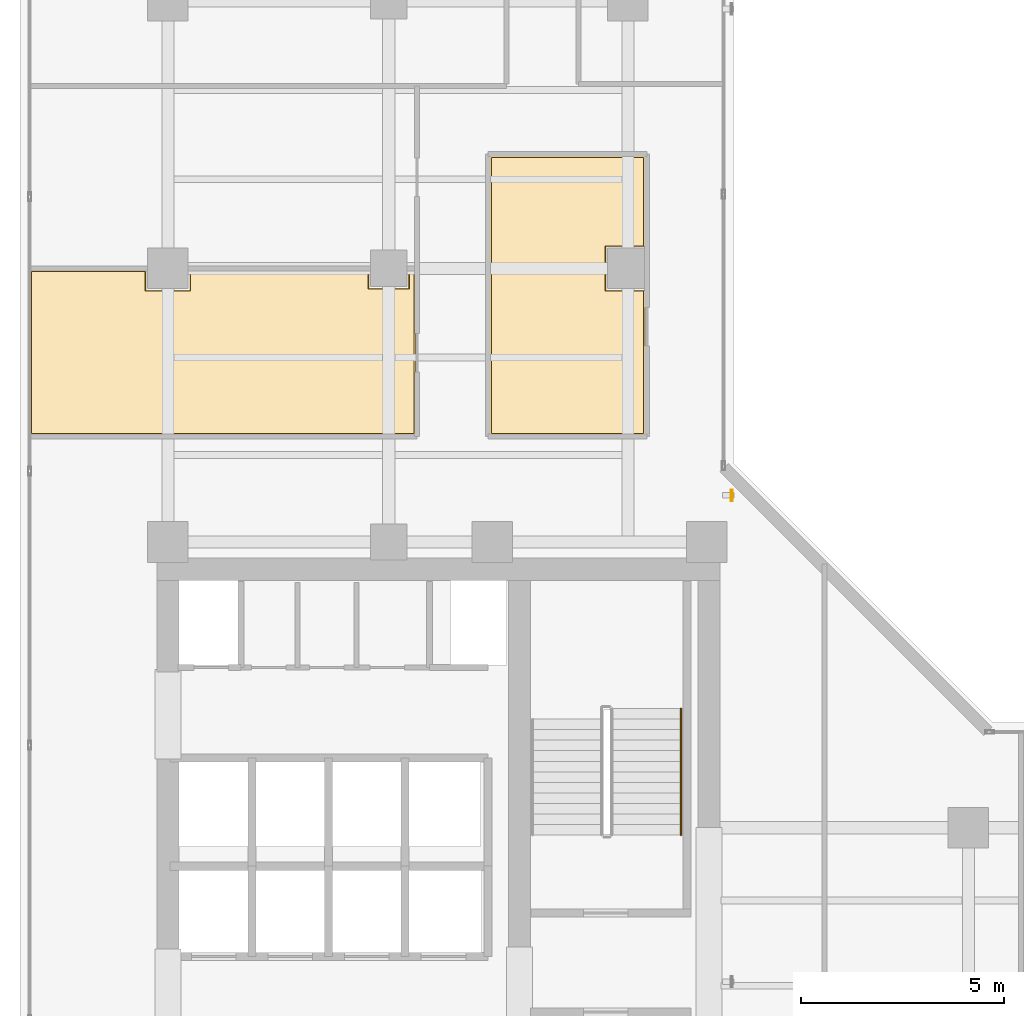
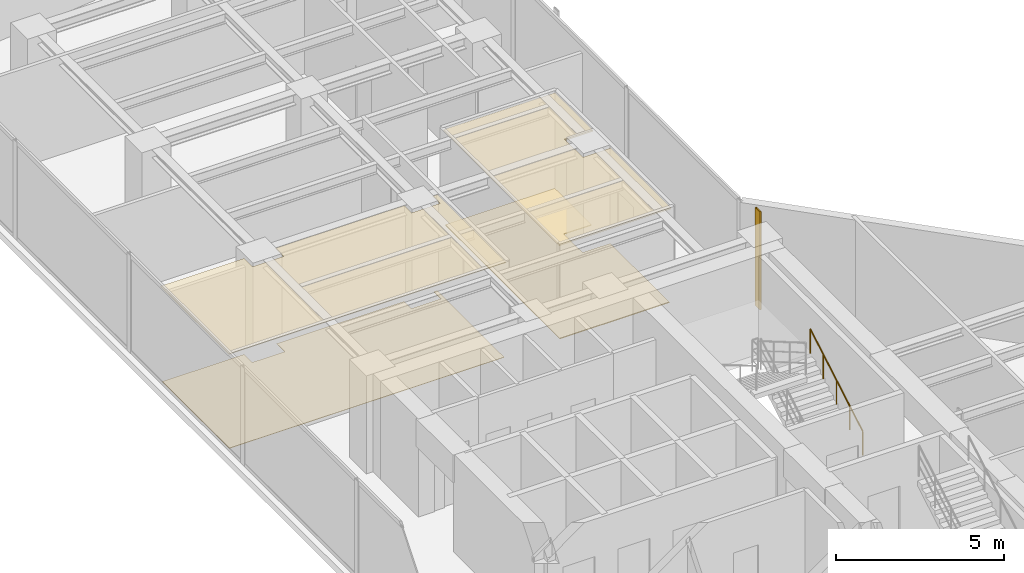
# One storey, part 23 of 25: 4 coverings, 1 railing, 1 shading device.
"""IFC4 building model written with IfcOpenShell, lengths in metres."""

from ifc_helpers import new_model, si_unit, direction, frame, origin, origin_2d, place, context, subcontext, project, spatial, polyline, hollow_rectangle, circle, outline, extrude, material, layer, layer_set, material_profile, profile_set, type_object, element, save


model = new_model("IFC4")

# Units and contexts
model_context = context("Model", 3, precision=1e-05, world=origin(), true_north=direction((0.0, 1.0)))
body_context = subcontext(model_context, "Body", "Model", "MODEL_VIEW")
ifc_project = project(units=[si_unit("LENGTHUNIT", "METRE"), si_unit("AREAUNIT", "SQUARE_METRE"), si_unit("VOLUMEUNIT", "CUBIC_METRE"), si_unit("PLANEANGLEUNIT", "RADIAN"), si_unit("MASSUNIT", "GRAM", prefix="KILO")], contexts=[model_context])

# Site, building, storey
site_placement = place(None, origin())
site = spatial("IfcSite", under=ifc_project, at=site_placement, CompositionType="ELEMENT")
building_placement = place(site_placement, origin())
building = spatial("IfcBuilding", under=site, at=building_placement, Name="Kolvaren Waterfront Exchange", CompositionType="ELEMENT")
storey_placement = place(building_placement, frame((0.0, 0.0, 204.5)))
storey = spatial("IfcBuildingStorey", under=building, at=storey_placement, Name="L52", CompositionType="ELEMENT", Elevation=204.5)

# Coverings
ifc_material_1 = material(Name="Mineral fibre acoustic ceiling tile")
ifc_layer_1 = layer(ifc_material_1, 0.02490234375, Name="Mineral fibre acoustic ceiling tile")
ifc_layer_set_1 = layer_set([ifc_layer_1], Name="Mineral fibre acoustic ceiling tile")
covering_type_1 = type_object("IfcCoveringType", Name="ARC-CEIL-ACOUSTIC-25", PredefinedType="CEILING", material=ifc_layer_set_1)
covering_1_placement = place(storey_placement, frame((0.0, 0.0, 3.445068359375)))
element("IfcCovering", 1, at=covering_1_placement, inside=storey, type_object=covering_type_1, Name="L52 acoustic suspended ceiling 3", PredefinedType="CEILING", context=body_context, shape_type="SweptSolid", body=[
    extrude(outline(polyline([(7.989990234375, 31.155029296875), (7.989990234375, 30.659912109375), (6.909912109375, 30.659912109375), (6.909912109375, 31.155029296875), (4.044921875, 31.155029296875), (4.044921875, 27.094970703125), (13.554931640625, 27.094970703125), (13.554931640625, 31.155029296875), (13.389892578125, 31.155029296875), (13.389892578125, 30.7099609375), (12.409912109375, 30.7099609375), (12.409912109375, 31.155029296875), (7.989990234375, 31.155029296875)])), origin(), (0.0, 0.0, 1.0), 0.02490234375),
])
ifc_material_2 = material(Name="Perforated bronze acoustic ceiling panel", Category="aluminium")
ifc_layer_2 = layer(ifc_material_2, 0.054931640625, Name="Perforated bronze acoustic ceiling panel")
ifc_layer_set_2 = layer_set([ifc_layer_2], Name="Perforated bronze acoustic ceiling panel")
covering_type_2 = type_object("IfcCoveringType", Name="ARC-CEIL-BAFFLE-55", PredefinedType="CEILING", material=ifc_layer_set_2)
covering_2_placement = place(storey_placement, frame((0.0, 0.0, 3.4150390625)))
element("IfcCovering", 2, at=covering_2_placement, inside=storey, type_object=covering_type_2, Name="L52 acoustic suspended ceiling 1", PredefinedType="CEILING", context=body_context, shape_type="SweptSolid", body=[
    extrude(outline(polyline([(19.22509765625, 30.659912109375), (18.260009765625, 30.659912109375), (18.260009765625, 31.739990234375), (19.22509765625, 31.739990234375), (19.22509765625, 33.97509765625), (15.39501953125, 33.97509765625), (15.39501953125, 27.094970703125), (19.22509765625, 27.094970703125), (19.22509765625, 30.659912109375)])), origin(), (0.0, 0.0, 1.0), 0.054931640625),
])

# Shading device
ifc_material_3 = material(Name="Anodised bronze aluminium 6063-T6", Category="aluminium")
ifc_material_profile = material_profile(ifc_material_3, hollow_rectangle(XDim=0.054931640625, YDim=0.280029296875, WallThickness=0.00439453125, at=origin_2d()), Name="BRZ-FIN-280x55x4.5")
ifc_profile_set = profile_set([ifc_material_profile], Name="Anodised bronze aluminium 6063-T6")
shading_device_type = type_object("IfcShadingDeviceType", Name="ARC-FIN-280", PredefinedType="USERDEFINED", material=ifc_profile_set)
shading_device_placement = place(storey_placement, frame((21.360107421875, 25.60009765625, 0.0), z_axis=(0.0, 0.0, 1.0), x_axis=(1.0, 0.0, 0.0)))
element("IfcShadingDevice", 3, at=shading_device_placement, inside=storey, type_object=shading_device_type, Name="L52 anodised bronze solar shading fin FIN-L52-E2", ObjectType="SOLAR FIN", PredefinedType="USERDEFINED", context=body_context, shape_type="SweptSolid", body=[
    extrude(hollow_rectangle(XDim=0.054931640625, YDim=0.280029296875, WallThickness=0.00439453125, at=origin_2d()), origin(), (0.0, 0.0, 1.0), 3.56005859375),
])

# Coverings
ifc_material_4 = material(Name="Slip-resistant porcelain tile")
ifc_layer_3 = layer(ifc_material_4, 0.014892578125, Name="Slip-resistant porcelain tile")
ifc_layer_set_3 = layer_set([ifc_layer_3], Name="Slip-resistant porcelain tile")
covering_type_3 = type_object("IfcCoveringType", Name="ARC-FLR-PORC-15", PredefinedType="FLOORING", material=ifc_layer_set_3)
covering_3_placement = place(storey_placement, origin())
element("IfcCovering", 4, at=covering_3_placement, inside=storey, type_object=covering_type_3, Name="L52 floor finish 3", PredefinedType="FLOORING", context=body_context, shape_type="SweptSolid", body=[
    extrude(outline(polyline([(4.080078125, 31.1201171875), (4.080078125, 27.1298828125), (13.52001953125, 27.1298828125), (13.52001953125, 31.1201171875), (13.409912109375, 31.1201171875), (13.409912109375, 30.68994140625), (12.389892578125, 30.68994140625), (12.389892578125, 31.1201171875), (8.010009765625, 31.1201171875), (8.010009765625, 30.639892578125), (6.889892578125, 30.639892578125), (6.889892578125, 31.1201171875), (4.080078125, 31.1201171875)])), origin(), (0.0, 0.0, 1.0), 0.014892578125),
])
ifc_material_5 = material(Name="Polished granite terrazzo tile", Category="masonry")
ifc_layer_4 = layer(ifc_material_5, 0.030029296875, Name="Polished granite terrazzo tile")
ifc_layer_set_4 = layer_set([ifc_layer_4], Name="Polished granite terrazzo tile")
covering_type_4 = type_object("IfcCoveringType", Name="ARC-FLR-TERRAZZO-30", PredefinedType="FLOORING", material=ifc_layer_set_4)
covering_4_placement = place(storey_placement, origin())
element("IfcCovering", 5, at=covering_4_placement, inside=storey, type_object=covering_type_4, Name="L52 floor finish 1", PredefinedType="FLOORING", context=body_context, shape_type="SweptSolid", body=[
    extrude(outline(polyline([(15.429931640625, 33.93994140625), (15.429931640625, 27.1298828125), (19.18994140625, 27.1298828125), (19.18994140625, 30.639892578125), (18.239990234375, 30.639892578125), (18.239990234375, 31.760009765625), (19.18994140625, 31.760009765625), (19.18994140625, 33.93994140625), (15.429931640625, 33.93994140625)])), origin(), (0.0, 0.0, 1.0), 0.030029296875),
])

# Railing
ifc_material_6 = material(Name="Stainless steel 316", Category="steel")
railing_type = type_object("IfcRailingType", Name="ARC-HANDRAIL-900", PredefinedType="HANDRAIL", material=ifc_material_6)
railing_placement = place(storey_placement, frame((20.110107421875, 17.219970703125, 0.152099609375)))
element("IfcRailing", 6, at=railing_placement, inside=storey, type_object=railing_type, Name="L52 ST2 stair handrail 1", PredefinedType="HANDRAIL", context=body_context, shape_type="SweptSolid", body=[
    extrude(circle(Radius=0.02392578125, at=origin_2d()), frame((0.0, 0.0, 0.8759765625), z_axis=(0.0, 0.86330811405, 0.504677223793), x_axis=(-1.0, 0.0, 0.0)), (0.0, 0.0, 1.0), 3.6142578125),
    extrude(circle(Radius=0.02099609375, at=origin_2d()), origin(), (0.0, 0.0, 1.0), 0.851806640625),
    extrude(circle(Radius=0.02099609375, at=origin_2d()), frame((0.0, 0.780029296875, 0.4560546875)), (0.0, 0.0, 1.0), 0.851806640625),
    extrude(circle(Radius=0.02099609375, at=origin_2d()), frame((0.0, 1.56005859375, 0.912109375)), (0.0, 0.0, 1.0), 0.851806640625),
    extrude(circle(Radius=0.02099609375, at=origin_2d()), frame((0.0, 2.340087890625, 1.367919921875)), (0.0, 0.0, 1.0), 0.851806640625),
    extrude(circle(Radius=0.02099609375, at=origin_2d()), frame((0.0, 3.1201171875, 1.823974609375)), (0.0, 0.0, 1.0), 0.851806640625),
])

save(model, "model.ifc")
